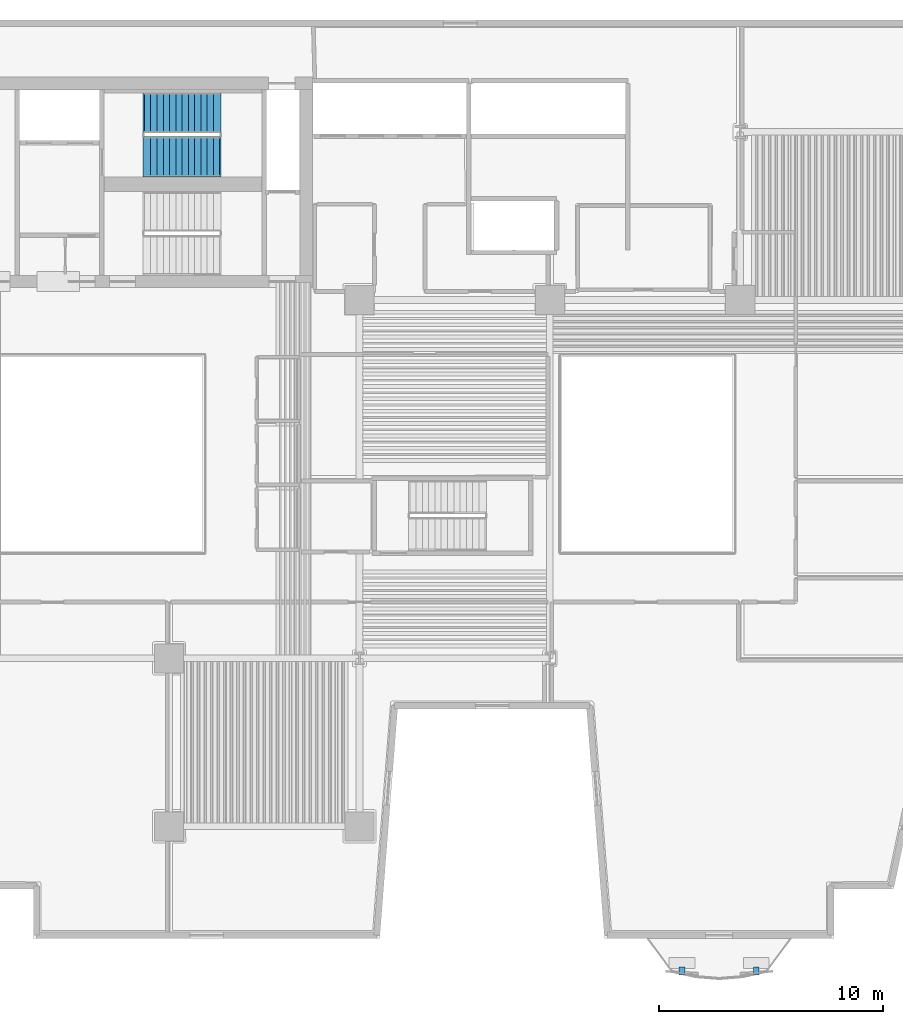
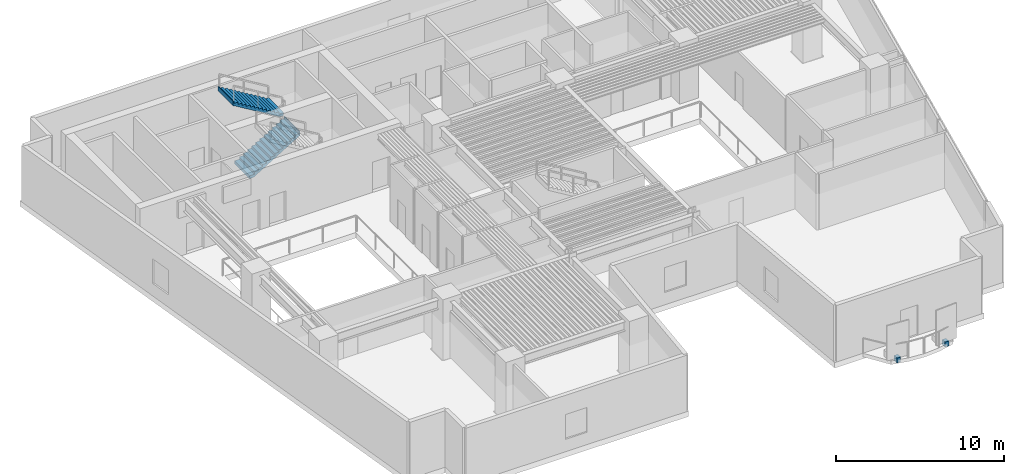
# One storey, part 7 of 12: 2 discrete accessories, 2 stair flights, 1 element without a shape of its own.
"""IFC4 building model written with IfcOpenShell, lengths in metres."""

from ifc_helpers import new_model, si_unit, direction, frame, origin, origin_2d, place, context, subcontext, project, spatial, polyline, rectangle, outline, extrude, material, type_object, element, aggregate, save


model = new_model("IFC4")

# Units and contexts
model_context = context("Model", 3, precision=1e-05, world=origin(), true_north=direction((0.0, 1.0)))
body_context = subcontext(model_context, "Body", "Model", "MODEL_VIEW")
ifc_project = project(units=[si_unit("LENGTHUNIT", "METRE"), si_unit("AREAUNIT", "SQUARE_METRE"), si_unit("VOLUMEUNIT", "CUBIC_METRE"), si_unit("PLANEANGLEUNIT", "RADIAN"), si_unit("MASSUNIT", "GRAM", prefix="KILO")], contexts=[model_context])

# Site, building, storey
site_placement = place(None, origin())
site = spatial("IfcSite", under=ifc_project, at=site_placement, CompositionType="ELEMENT")
building_placement = place(site_placement, origin())
building = spatial("IfcBuilding", under=site, at=building_placement, Name="Caeloran Harvest Quay", CompositionType="ELEMENT")
storey_placement = place(building_placement, frame((0.0, 0.0, 27.0)))
storey = spatial("IfcBuildingStorey", under=building, at=storey_placement, Name="L06", CompositionType="ELEMENT", Elevation=27.0)

# Stair, stair flights
ifc_material_1 = material(Name="Concrete C50/60", Category="concrete")
stair_type = type_object("IfcStairType", Name="STAIR-STC-180", PredefinedType="HALF_TURN_STAIR", material=ifc_material_1)
stair_placement = place(storey_placement, origin())
stair = element("IfcStair", 1, at=stair_placement, inside=storey, type_object=stair_type, Name="L06 Core Pressurized Exit Stair ST-C1", PredefinedType="HALF_TURN_STAIR")
stair_flight_type = type_object("IfcStairFlightType", Name="FLIGHT-STC-180", PredefinedType="STRAIGHT", material=ifc_material_1)
stair_flight_1_placement = place(storey_placement, frame((15.89990234375, 37.39990234375, 0.0), z_axis=(0.0, 0.0, 1.0), x_axis=(1.0, 0.0, 0.0)))
stair_flight_1 = element("IfcStairFlight", 2, at=stair_flight_1_placement, type_object=stair_flight_type, Name="ST-C1 flight 1", NumberOfRisers=13, NumberOfTreads=12, PredefinedType="STRAIGHT", RiserHeight=0.169230769, TreadLength=0.28, context=body_context, shape_type="SweptSolid", body=[
    extrude(outline(polyline([(-0.054931640625, -0.044921875), (-0.054931640625, -0.031494140625), (-0.054931640625, -0.018310546875), (-0.054931640625, -0.0048828125), (-0.054931640625, 0.008544921875), (-0.054931640625, 0.02197265625), (-0.054931640625, 0.035400390625), (-0.054931640625, 0.048828125), (-0.054931640625, 0.06201171875), (-0.054931640625, 0.075439453125), (-0.054931640625, 0.0888671875), (-0.054931640625, 0.102294921875), (-0.054931640625, 0.11572265625), (-0.054931640625, 0.129150390625), (-0.054931640625, 0.142333984375), (-0.054931640625, 0.15576171875), (-0.054931640625, 0.169189453125), (0.280029296875, 0.169189453125), (0.280029296875, 0.33837890625), (0.56005859375, 0.33837890625), (0.56005859375, 0.5078125), (0.840087890625, 0.5078125), (0.840087890625, 0.677001953125), (1.1201171875, 0.677001953125), (1.1201171875, 0.84619140625), (1.39990234375, 0.84619140625), (1.39990234375, 1.015380859375), (1.679931640625, 1.015380859375), (1.679931640625, 1.1845703125), (1.9599609375, 1.1845703125), (1.9599609375, 1.353759765625), (2.239990234375, 1.353759765625), (2.239990234375, 1.523193359375), (2.52001953125, 1.523193359375), (2.52001953125, 1.6923828125), (2.800048828125, 1.6923828125), (2.800048828125, 1.861572265625), (3.080078125, 1.861572265625), (3.080078125, 2.03076171875), (3.360107421875, 2.03076171875), (3.360107421875, 2.199951171875), (3.4150390625, 2.199951171875), (3.4150390625, 2.178466796875), (3.4150390625, 2.156982421875), (3.4150390625, 2.135498046875), (3.4150390625, 2.114013671875), (3.4150390625, 2.09228515625), (3.4150390625, 2.07080078125), (3.4150390625, 2.04931640625), (3.4150390625, 2.02783203125), (3.4150390625, 2.00634765625), (3.4150390625, 1.98486328125), (3.4150390625, 1.963134765625), (3.4150390625, 1.941650390625), (3.4150390625, 1.920166015625), (3.4150390625, 1.898681640625), (3.4150390625, 1.877197265625), (3.4150390625, 1.855712890625), (3.360107421875, 1.855712890625), (0.21533203125, -0.044921875), (-0.054931640625, -0.044921875)])), frame((0.0, 0.89990234375, 0.0), z_axis=(0.0, -1.0, 0.0), x_axis=(1.0, 0.0, 0.0)), (0.0, 0.0, 1.0), 1.800048828125),
])
stair_flight_2_placement = place(storey_placement, frame((19.260009765625, 39.35009765625, 2.199951171875), z_axis=(0.0, 0.0, 1.0), x_axis=(-1.0, 0.0, 0.0)))
stair_flight_2 = element("IfcStairFlight", 3, at=stair_flight_2_placement, type_object=stair_flight_type, Name="ST-C1 flight 2", NumberOfRisers=13, NumberOfTreads=12, PredefinedType="STRAIGHT", RiserHeight=0.169230769, TreadLength=0.28, context=body_context, shape_type="SweptSolid", body=[
    extrude(outline(polyline([(-0.054931640625, -0.044921875), (-0.054931640625, -0.031494140625), (-0.054931640625, -0.018310546875), (-0.054931640625, -0.0048828125), (-0.054931640625, 0.008544921875), (-0.054931640625, 0.02197265625), (-0.054931640625, 0.035400390625), (-0.054931640625, 0.048828125), (-0.054931640625, 0.06201171875), (-0.054931640625, 0.075439453125), (-0.054931640625, 0.0888671875), (-0.054931640625, 0.102294921875), (-0.054931640625, 0.11572265625), (-0.054931640625, 0.129150390625), (-0.054931640625, 0.142333984375), (-0.054931640625, 0.15576171875), (-0.054931640625, 0.169189453125), (0.280029296875, 0.169189453125), (0.280029296875, 0.33837890625), (0.56005859375, 0.33837890625), (0.56005859375, 0.5078125), (0.840087890625, 0.5078125), (0.840087890625, 0.677001953125), (1.1201171875, 0.677001953125), (1.1201171875, 0.84619140625), (1.39990234375, 0.84619140625), (1.39990234375, 1.015380859375), (1.679931640625, 1.015380859375), (1.679931640625, 1.1845703125), (1.9599609375, 1.1845703125), (1.9599609375, 1.353759765625), (2.239990234375, 1.353759765625), (2.239990234375, 1.523193359375), (2.52001953125, 1.523193359375), (2.52001953125, 1.6923828125), (2.800048828125, 1.6923828125), (2.800048828125, 1.861572265625), (3.080078125, 1.861572265625), (3.080078125, 2.03076171875), (3.360107421875, 2.03076171875), (3.360107421875, 2.199951171875), (3.4150390625, 2.199951171875), (3.4150390625, 2.178466796875), (3.4150390625, 2.156982421875), (3.4150390625, 2.135498046875), (3.4150390625, 2.114013671875), (3.4150390625, 2.09228515625), (3.4150390625, 2.07080078125), (3.4150390625, 2.04931640625), (3.4150390625, 2.02783203125), (3.4150390625, 2.00634765625), (3.4150390625, 1.98486328125), (3.4150390625, 1.963134765625), (3.4150390625, 1.941650390625), (3.4150390625, 1.920166015625), (3.4150390625, 1.898681640625), (3.4150390625, 1.877197265625), (3.4150390625, 1.855712890625), (3.360107421875, 1.855712890625), (0.21533203125, -0.044921875), (-0.054931640625, -0.044921875)])), frame((0.0, 0.89990234375, 0.0), z_axis=(0.0, -1.0, 0.0), x_axis=(1.0, 0.0, 0.0)), (0.0, 0.0, 1.0), 1.800048828125),
])
aggregate(stair, [stair_flight_1, stair_flight_2])

# Discrete accessories
ifc_material_2 = material(Name="Stainless Steel Grade 316L", Category="steel")
discrete_accessory_type = type_object("IfcDiscreteAccessoryType", Name="BRACKET-SCREEN-SS", PredefinedType="BRACKET", material=ifc_material_2)
for number, where, z_axis, x_axis, name in (
    (4, (43.218505859375, 1.0400390625, -0.22021484375), (0.0, 0.0, 1.0), (1.0, 0.0, 0.0), "L06 Balcony Screen Support Bracket 1"),
    (5, (39.8984375, 1.0400390625, -0.22021484375), (0.0, 0.0, 1.0), (1.0, 0.0, 0.0), "L06 Balcony Screen Support Bracket 2"),
):
    element("IfcDiscreteAccessory", number, at=place(storey_placement, frame(where, z_axis=z_axis, x_axis=x_axis)), inside=storey, type_object=discrete_accessory_type, Name=name, PredefinedType="BRACKET", context=body_context, shape_type="SweptSolid", body=[
        extrude(rectangle(XDim=0.260009765625, YDim=0.340087890625, at=origin_2d()), origin(), (0.0, 0.0, 1.0), 0.360107421875),
    ])

save(model, "model.ifc")
